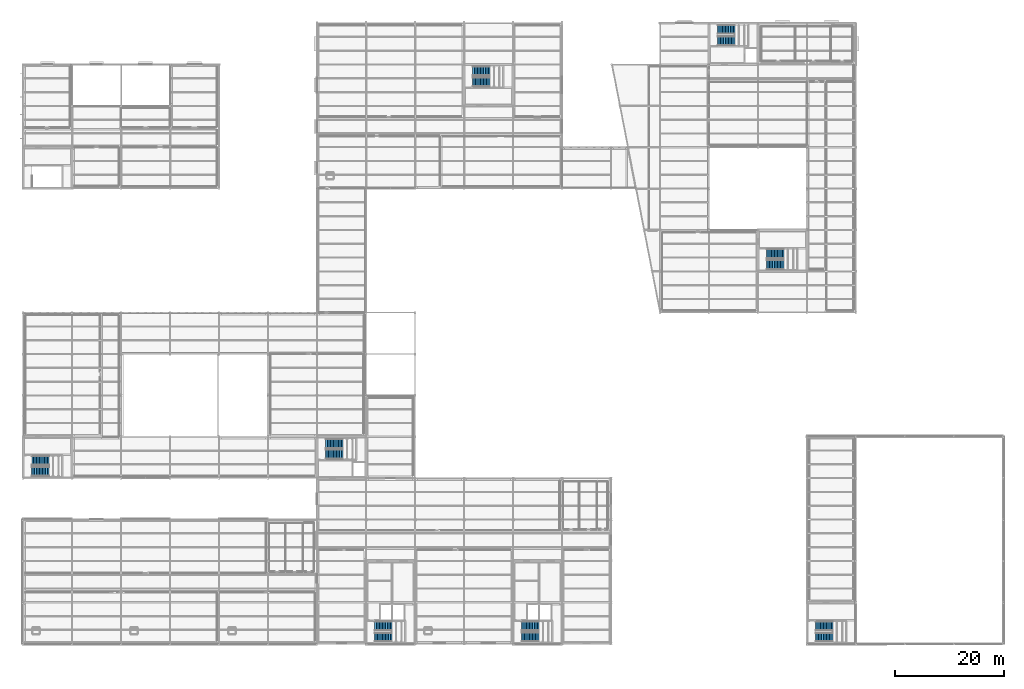
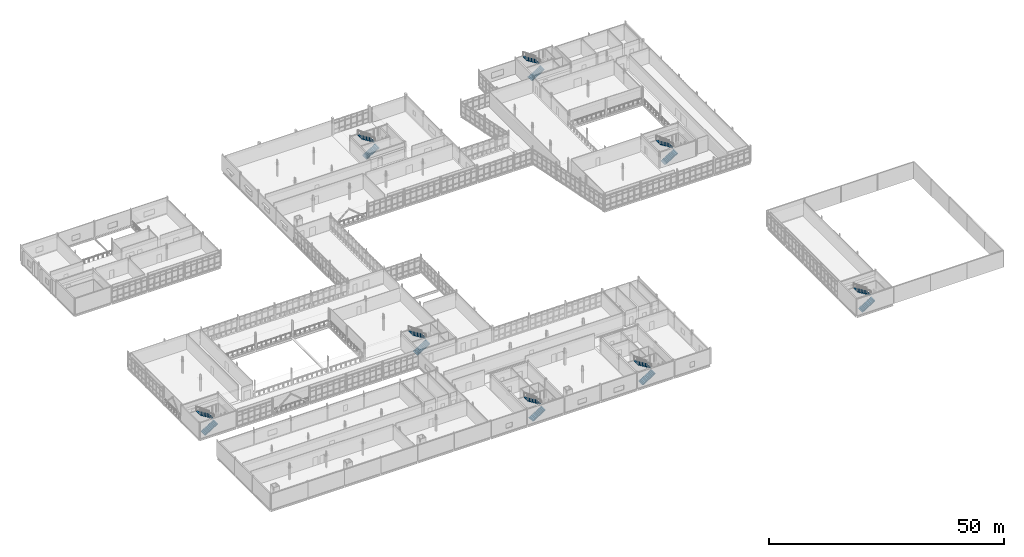
# One storey, part 164 of 174: 16 stair flights, 8 elements without a shape of their own.
"""IFC4 building model written with IfcOpenShell, lengths in metres."""

from ifc_helpers import new_model, si_unit, direction, frame, origin, place, context, subcontext, project, spatial, polyline, outline, extrude, material, type_object, element, aggregate, save


model = new_model("IFC4")

# Units and contexts
model_context = context("Model", 3, precision=1e-05, world=origin(), true_north=direction((0.0, 1.0)))
body_context = subcontext(model_context, "Body", "Model", "MODEL_VIEW")
ifc_project = project(units=[si_unit("LENGTHUNIT", "METRE"), si_unit("AREAUNIT", "SQUARE_METRE"), si_unit("VOLUMEUNIT", "CUBIC_METRE"), si_unit("PLANEANGLEUNIT", "RADIAN"), si_unit("MASSUNIT", "GRAM", prefix="KILO")], contexts=[model_context])

# Site, building, storey
site_placement = place(None, origin())
site = spatial("IfcSite", under=ifc_project, at=site_placement, CompositionType="ELEMENT")
building_placement = place(site_placement, origin())
building = spatial("IfcBuilding", under=site, at=building_placement, Name="Caisbarro Railhouse Central Library", CompositionType="ELEMENT")
storey_placement = place(building_placement, frame((0.0, 0.0, 5.0400390625)))
storey = spatial("IfcBuildingStorey", under=building, at=storey_placement, Name="L01", CompositionType="ELEMENT", Elevation=5.0400390625)

# Stair, stair flights
ifc_material = material(Name="Concrete C35", Category="concrete")
stair_type_1 = type_object("IfcStairType", Name="STR-ST43A", PredefinedType="HALF_TURN_STAIR", material=ifc_material)
stair_1_placement = place(storey_placement, origin())
stair_1 = element("IfcStair", 1, at=stair_1_placement, inside=storey, type_object=stair_type_1, Name="Protected Stair ST-01 (L01)", PredefinedType="HALF_TURN_STAIR")
stair_flight_type_1 = type_object("IfcStairFlightType", Name="STF-ST43A", PredefinedType="STRAIGHT", material=ifc_material)
stair_flight_1_placement = place(storey_placement, frame((64.550048828125, 1.169921875, 0.0), z_axis=(0.0, 0.0, 1.0), x_axis=(1.0, 0.0, 0.0)))
stair_flight_1 = element("IfcStairFlight", 2, at=stair_flight_1_placement, type_object=stair_flight_type_1, Name="ST-01 flight 1", NumberOfRisers=12, NumberOfTreads=11, PredefinedType="STRAIGHT", RiserHeight=0.18, TreadLength=0.29, context=body_context, shape_type="SweptSolid", body=[
    extrude(outline(polyline([(0.0, 0.0), (0.0, 0.179931640625), (0.2900390625, 0.179931640625), (0.2900390625, 0.360107421875), (0.580078125, 0.360107421875), (0.580078125, 0.5400390625), (0.8701171875, 0.5400390625), (0.8701171875, 0.719970703125), (1.159912109375, 0.719970703125), (1.159912109375, 0.89990234375), (1.449951171875, 0.89990234375), (1.449951171875, 1.080078125), (1.739990234375, 1.080078125), (1.739990234375, 1.260009765625), (2.030029296875, 1.260009765625), (2.030029296875, 1.43994140625), (2.320068359375, 1.43994140625), (2.320068359375, 1.6201171875), (2.610107421875, 1.6201171875), (2.610107421875, 1.800048828125), (2.89990234375, 1.800048828125), (2.89990234375, 1.97998046875), (3.18994140625, 1.97998046875), (3.18994140625, 2.159912109375), (3.18994140625, 1.791748046875), (0.30322265625, 0.0), (0.0, 0.0)])), frame((0.0, 0.830078125, 0.0), z_axis=(0.0, -1.0, 0.0), x_axis=(1.0, 0.0, 0.0)), (0.0, 0.0, 1.0), 1.659912109375),
])
stair_flight_2_placement = place(storey_placement, frame((67.780029296875, 3.280029296875, 2.159912109375), z_axis=(0.0, 0.0, 1.0), x_axis=(-1.0, 0.0, 0.0)))
stair_flight_2 = element("IfcStairFlight", 3, at=stair_flight_2_placement, type_object=stair_flight_type_1, Name="ST-01 flight 2", NumberOfRisers=12, NumberOfTreads=11, PredefinedType="STRAIGHT", RiserHeight=0.18, TreadLength=0.29, context=body_context, shape_type="SweptSolid", body=[
    extrude(outline(polyline([(0.0, 0.0), (0.0, 0.179931640625), (0.2900390625, 0.179931640625), (0.2900390625, 0.360107421875), (0.580078125, 0.360107421875), (0.580078125, 0.5400390625), (0.8701171875, 0.5400390625), (0.8701171875, 0.719970703125), (1.159912109375, 0.719970703125), (1.159912109375, 0.89990234375), (1.449951171875, 0.89990234375), (1.449951171875, 1.080078125), (1.739990234375, 1.080078125), (1.739990234375, 1.260009765625), (2.030029296875, 1.260009765625), (2.030029296875, 1.43994140625), (2.320068359375, 1.43994140625), (2.320068359375, 1.6201171875), (2.610107421875, 1.6201171875), (2.610107421875, 1.800048828125), (2.89990234375, 1.800048828125), (2.89990234375, 1.97998046875), (3.18994140625, 1.97998046875), (3.18994140625, 2.159912109375), (3.18994140625, 1.791748046875), (0.30322265625, 0.0), (0.0, 0.0)])), frame((0.0, 0.830078125, 0.0), z_axis=(0.0, -1.0, 0.0), x_axis=(1.0, 0.0, 0.0)), (0.0, 0.0, 1.0), 1.659912109375),
])
aggregate(stair_1, [stair_flight_1, stair_flight_2])

stair_2_placement = place(storey_placement, origin())
stair_2 = element("IfcStair", 4, at=stair_2_placement, inside=storey, type_object=stair_type_1, Name="Protected Stair ST-03 (L01)", PredefinedType="HALF_TURN_STAIR")
stair_flight_3_placement = place(storey_placement, frame((127.550048828125, 110.719970703125, 0.0), z_axis=(0.0, 0.0, 1.0), x_axis=(1.0, 0.0, 0.0)))
stair_flight_3 = element("IfcStairFlight", 5, at=stair_flight_3_placement, type_object=stair_flight_type_1, Name="ST-03 flight 1", NumberOfRisers=12, NumberOfTreads=11, PredefinedType="STRAIGHT", RiserHeight=0.18, TreadLength=0.29, context=body_context, shape_type="SweptSolid", body=[
    extrude(outline(polyline([(0.0, 0.0), (0.0, 0.179931640625), (0.2900390625, 0.179931640625), (0.2900390625, 0.360107421875), (0.580078125, 0.360107421875), (0.580078125, 0.5400390625), (0.8701171875, 0.5400390625), (0.8701171875, 0.719970703125), (1.159912109375, 0.719970703125), (1.159912109375, 0.89990234375), (1.449951171875, 0.89990234375), (1.449951171875, 1.080078125), (1.739990234375, 1.080078125), (1.739990234375, 1.260009765625), (2.030029296875, 1.260009765625), (2.030029296875, 1.43994140625), (2.320068359375, 1.43994140625), (2.320068359375, 1.6201171875), (2.610107421875, 1.6201171875), (2.610107421875, 1.800048828125), (2.89990234375, 1.800048828125), (2.89990234375, 1.97998046875), (3.18994140625, 1.97998046875), (3.18994140625, 2.159912109375), (3.18994140625, 1.791748046875), (0.30322265625, 0.0), (0.0, 0.0)])), frame((0.0, 0.830078125, 0.0), z_axis=(0.0, -1.0, 0.0), x_axis=(1.0, 0.0, 0.0)), (0.0, 0.0, 1.0), 1.659912109375),
])
stair_flight_4_placement = place(storey_placement, frame((130.780029296875, 112.830078125, 2.159912109375), z_axis=(0.0, 0.0, 1.0), x_axis=(-1.0, 0.0, 0.0)))
stair_flight_4 = element("IfcStairFlight", 6, at=stair_flight_4_placement, type_object=stair_flight_type_1, Name="ST-03 flight 2", NumberOfRisers=12, NumberOfTreads=11, PredefinedType="STRAIGHT", RiserHeight=0.18, TreadLength=0.29, context=body_context, shape_type="SweptSolid", body=[
    extrude(outline(polyline([(0.0, 0.0), (0.0, 0.179931640625), (0.2900390625, 0.179931640625), (0.2900390625, 0.360107421875), (0.580078125, 0.360107421875), (0.580078125, 0.5400390625), (0.8701171875, 0.5400390625), (0.8701171875, 0.719970703125), (1.159912109375, 0.719970703125), (1.159912109375, 0.89990234375), (1.449951171875, 0.89990234375), (1.449951171875, 1.080078125), (1.739990234375, 1.080078125), (1.739990234375, 1.260009765625), (2.030029296875, 1.260009765625), (2.030029296875, 1.43994140625), (2.320068359375, 1.43994140625), (2.320068359375, 1.6201171875), (2.610107421875, 1.6201171875), (2.610107421875, 1.800048828125), (2.89990234375, 1.800048828125), (2.89990234375, 1.97998046875), (3.18994140625, 1.97998046875), (3.18994140625, 2.159912109375), (3.18994140625, 1.791748046875), (0.30322265625, 0.0), (0.0, 0.0)])), frame((0.0, 0.830078125, 0.0), z_axis=(0.0, -1.0, 0.0), x_axis=(1.0, 0.0, 0.0)), (0.0, 0.0, 1.0), 1.659912109375),
])
aggregate(stair_2, [stair_flight_3, stair_flight_4])

stair_3_placement = place(storey_placement, origin())
stair_3 = element("IfcStair", 7, at=stair_3_placement, inside=storey, type_object=stair_type_1, Name="Protected Stair ST-09 (L01)", PredefinedType="HALF_TURN_STAIR")
stair_flight_5_placement = place(storey_placement, frame((145.550048828125, 1.169921875, 0.0), z_axis=(0.0, 0.0, 1.0), x_axis=(1.0, 0.0, 0.0)))
stair_flight_5 = element("IfcStairFlight", 8, at=stair_flight_5_placement, type_object=stair_flight_type_1, Name="ST-09 flight 1", NumberOfRisers=12, NumberOfTreads=11, PredefinedType="STRAIGHT", RiserHeight=0.18, TreadLength=0.29, context=body_context, shape_type="SweptSolid", body=[
    extrude(outline(polyline([(0.0, 0.0), (0.0, 0.179931640625), (0.2900390625, 0.179931640625), (0.2900390625, 0.360107421875), (0.580078125, 0.360107421875), (0.580078125, 0.5400390625), (0.8701171875, 0.5400390625), (0.8701171875, 0.719970703125), (1.159912109375, 0.719970703125), (1.159912109375, 0.89990234375), (1.449951171875, 0.89990234375), (1.449951171875, 1.080078125), (1.739990234375, 1.080078125), (1.739990234375, 1.260009765625), (2.030029296875, 1.260009765625), (2.030029296875, 1.43994140625), (2.320068359375, 1.43994140625), (2.320068359375, 1.6201171875), (2.610107421875, 1.6201171875), (2.610107421875, 1.800048828125), (2.89990234375, 1.800048828125), (2.89990234375, 1.97998046875), (3.18994140625, 1.97998046875), (3.18994140625, 2.159912109375), (3.18994140625, 1.791748046875), (0.30322265625, 0.0), (0.0, 0.0)])), frame((0.0, 0.830078125, 0.0), z_axis=(0.0, -1.0, 0.0), x_axis=(1.0, 0.0, 0.0)), (0.0, 0.0, 1.0), 1.659912109375),
])
stair_flight_6_placement = place(storey_placement, frame((148.780029296875, 3.280029296875, 2.159912109375), z_axis=(0.0, 0.0, 1.0), x_axis=(-1.0, 0.0, 0.0)))
stair_flight_6 = element("IfcStairFlight", 9, at=stair_flight_6_placement, type_object=stair_flight_type_1, Name="ST-09 flight 2", NumberOfRisers=12, NumberOfTreads=11, PredefinedType="STRAIGHT", RiserHeight=0.18, TreadLength=0.29, context=body_context, shape_type="SweptSolid", body=[
    extrude(outline(polyline([(0.0, 0.0), (0.0, 0.179931640625), (0.2900390625, 0.179931640625), (0.2900390625, 0.360107421875), (0.580078125, 0.360107421875), (0.580078125, 0.5400390625), (0.8701171875, 0.5400390625), (0.8701171875, 0.719970703125), (1.159912109375, 0.719970703125), (1.159912109375, 0.89990234375), (1.449951171875, 0.89990234375), (1.449951171875, 1.080078125), (1.739990234375, 1.080078125), (1.739990234375, 1.260009765625), (2.030029296875, 1.260009765625), (2.030029296875, 1.43994140625), (2.320068359375, 1.43994140625), (2.320068359375, 1.6201171875), (2.610107421875, 1.6201171875), (2.610107421875, 1.800048828125), (2.89990234375, 1.800048828125), (2.89990234375, 1.97998046875), (3.18994140625, 1.97998046875), (3.18994140625, 2.159912109375), (3.18994140625, 1.791748046875), (0.30322265625, 0.0), (0.0, 0.0)])), frame((0.0, 0.830078125, 0.0), z_axis=(0.0, -1.0, 0.0), x_axis=(1.0, 0.0, 0.0)), (0.0, 0.0, 1.0), 1.659912109375),
])
aggregate(stair_3, [stair_flight_5, stair_flight_6])

stair_type_2 = type_object("IfcStairType", Name="STR-ST43B", PredefinedType="HALF_TURN_STAIR", material=ifc_material)
stair_4_placement = place(storey_placement, origin())
stair_4 = element("IfcStair", 10, at=stair_4_placement, inside=storey, type_object=stair_type_2, Name="Protected Stair ST-02 (L01)", PredefinedType="HALF_TURN_STAIR")
stair_flight_type_2 = type_object("IfcStairFlightType", Name="STF-ST43B", PredefinedType="STRAIGHT", material=ifc_material)
stair_flight_7_placement = place(storey_placement, frame((91.550048828125, 1.199951171875, 0.0), z_axis=(0.0, 0.0, 1.0), x_axis=(1.0, 0.0, 0.0)))
stair_flight_7 = element("IfcStairFlight", 11, at=stair_flight_7_placement, type_object=stair_flight_type_2, Name="ST-02 flight 1", NumberOfRisers=12, NumberOfTreads=11, PredefinedType="STRAIGHT", RiserHeight=0.18, TreadLength=0.29, context=body_context, shape_type="SweptSolid", body=[
    extrude(outline(polyline([(0.0, 0.0), (0.0, 0.179931640625), (0.2900390625, 0.179931640625), (0.2900390625, 0.360107421875), (0.580078125, 0.360107421875), (0.580078125, 0.5400390625), (0.8701171875, 0.5400390625), (0.8701171875, 0.719970703125), (1.159912109375, 0.719970703125), (1.159912109375, 0.89990234375), (1.449951171875, 0.89990234375), (1.449951171875, 1.080078125), (1.739990234375, 1.080078125), (1.739990234375, 1.260009765625), (2.030029296875, 1.260009765625), (2.030029296875, 1.43994140625), (2.320068359375, 1.43994140625), (2.320068359375, 1.6201171875), (2.610107421875, 1.6201171875), (2.610107421875, 1.800048828125), (2.89990234375, 1.800048828125), (2.89990234375, 1.97998046875), (3.18994140625, 1.97998046875), (3.18994140625, 2.159912109375), (3.18994140625, 1.791748046875), (0.30322265625, 0.0), (0.0, 0.0)])), frame((0.0, 0.85986328125, 0.0), z_axis=(0.0, -1.0, 0.0), x_axis=(1.0, 0.0, 0.0)), (0.0, 0.0, 1.0), 1.719970703125),
])
stair_flight_8_placement = place(storey_placement, frame((94.780029296875, 3.25, 2.159912109375), z_axis=(0.0, 0.0, 1.0), x_axis=(-1.0, 0.0, 0.0)))
stair_flight_8 = element("IfcStairFlight", 12, at=stair_flight_8_placement, type_object=stair_flight_type_2, Name="ST-02 flight 2", NumberOfRisers=12, NumberOfTreads=11, PredefinedType="STRAIGHT", RiserHeight=0.18, TreadLength=0.29, context=body_context, shape_type="SweptSolid", body=[
    extrude(outline(polyline([(0.0, 0.0), (0.0, 0.179931640625), (0.2900390625, 0.179931640625), (0.2900390625, 0.360107421875), (0.580078125, 0.360107421875), (0.580078125, 0.5400390625), (0.8701171875, 0.5400390625), (0.8701171875, 0.719970703125), (1.159912109375, 0.719970703125), (1.159912109375, 0.89990234375), (1.449951171875, 0.89990234375), (1.449951171875, 1.080078125), (1.739990234375, 1.080078125), (1.739990234375, 1.260009765625), (2.030029296875, 1.260009765625), (2.030029296875, 1.43994140625), (2.320068359375, 1.43994140625), (2.320068359375, 1.6201171875), (2.610107421875, 1.6201171875), (2.610107421875, 1.800048828125), (2.89990234375, 1.800048828125), (2.89990234375, 1.97998046875), (3.18994140625, 1.97998046875), (3.18994140625, 2.159912109375), (3.18994140625, 1.791748046875), (0.30322265625, 0.0), (0.0, 0.0)])), frame((0.0, 0.85986328125, 0.0), z_axis=(0.0, -1.0, 0.0), x_axis=(1.0, 0.0, 0.0)), (0.0, 0.0, 1.0), 1.719970703125),
])
aggregate(stair_4, [stair_flight_7, stair_flight_8])

stair_5_placement = place(storey_placement, origin())
stair_5 = element("IfcStair", 13, at=stair_5_placement, inside=storey, type_object=stair_type_2, Name="Protected Stair ST-05 (L01)", PredefinedType="HALF_TURN_STAIR")
stair_flight_9_placement = place(storey_placement, frame((82.550048828125, 103.14990234375, 0.0), z_axis=(0.0, 0.0, 1.0), x_axis=(1.0, 0.0, 0.0)))
stair_flight_9 = element("IfcStairFlight", 14, at=stair_flight_9_placement, type_object=stair_flight_type_2, Name="ST-05 flight 1", NumberOfRisers=12, NumberOfTreads=11, PredefinedType="STRAIGHT", RiserHeight=0.18, TreadLength=0.29, context=body_context, shape_type="SweptSolid", body=[
    extrude(outline(polyline([(0.0, 0.0), (0.0, 0.179931640625), (0.2900390625, 0.179931640625), (0.2900390625, 0.360107421875), (0.580078125, 0.360107421875), (0.580078125, 0.5400390625), (0.8701171875, 0.5400390625), (0.8701171875, 0.719970703125), (1.159912109375, 0.719970703125), (1.159912109375, 0.89990234375), (1.449951171875, 0.89990234375), (1.449951171875, 1.080078125), (1.739990234375, 1.080078125), (1.739990234375, 1.260009765625), (2.030029296875, 1.260009765625), (2.030029296875, 1.43994140625), (2.320068359375, 1.43994140625), (2.320068359375, 1.6201171875), (2.610107421875, 1.6201171875), (2.610107421875, 1.800048828125), (2.89990234375, 1.800048828125), (2.89990234375, 1.97998046875), (3.18994140625, 1.97998046875), (3.18994140625, 2.159912109375), (3.18994140625, 1.791748046875), (0.30322265625, 0.0), (0.0, 0.0)])), frame((0.0, 0.85986328125, 0.0), z_axis=(0.0, -1.0, 0.0), x_axis=(1.0, 0.0, 0.0)), (0.0, 0.0, 1.0), 1.719970703125),
])
stair_flight_10_placement = place(storey_placement, frame((85.780029296875, 105.199951171875, 2.159912109375), z_axis=(0.0, 0.0, 1.0), x_axis=(-1.0, 0.0, 0.0)))
stair_flight_10 = element("IfcStairFlight", 15, at=stair_flight_10_placement, type_object=stair_flight_type_2, Name="ST-05 flight 2", NumberOfRisers=12, NumberOfTreads=11, PredefinedType="STRAIGHT", RiserHeight=0.18, TreadLength=0.29, context=body_context, shape_type="SweptSolid", body=[
    extrude(outline(polyline([(0.0, 0.0), (0.0, 0.179931640625), (0.2900390625, 0.179931640625), (0.2900390625, 0.360107421875), (0.580078125, 0.360107421875), (0.580078125, 0.5400390625), (0.8701171875, 0.5400390625), (0.8701171875, 0.719970703125), (1.159912109375, 0.719970703125), (1.159912109375, 0.89990234375), (1.449951171875, 0.89990234375), (1.449951171875, 1.080078125), (1.739990234375, 1.080078125), (1.739990234375, 1.260009765625), (2.030029296875, 1.260009765625), (2.030029296875, 1.43994140625), (2.320068359375, 1.43994140625), (2.320068359375, 1.6201171875), (2.610107421875, 1.6201171875), (2.610107421875, 1.800048828125), (2.89990234375, 1.800048828125), (2.89990234375, 1.97998046875), (3.18994140625, 1.97998046875), (3.18994140625, 2.159912109375), (3.18994140625, 1.791748046875), (0.30322265625, 0.0), (0.0, 0.0)])), frame((0.0, 0.85986328125, 0.0), z_axis=(0.0, -1.0, 0.0), x_axis=(1.0, 0.0, 0.0)), (0.0, 0.0, 1.0), 1.719970703125),
])
aggregate(stair_5, [stair_flight_9, stair_flight_10])

stair_6_placement = place(storey_placement, origin())
stair_6 = element("IfcStair", 16, at=stair_6_placement, inside=storey, type_object=stair_type_2, Name="Protected Stair ST-06 (L01)", PredefinedType="HALF_TURN_STAIR")
stair_flight_11_placement = place(storey_placement, frame((1.550048828125, 31.60009765625, 0.0), z_axis=(0.0, 0.0, 1.0), x_axis=(1.0, 0.0, 0.0)))
stair_flight_11 = element("IfcStairFlight", 17, at=stair_flight_11_placement, type_object=stair_flight_type_2, Name="ST-06 flight 1", NumberOfRisers=12, NumberOfTreads=11, PredefinedType="STRAIGHT", RiserHeight=0.18, TreadLength=0.29, context=body_context, shape_type="SweptSolid", body=[
    extrude(outline(polyline([(0.0, 0.0), (0.0, 0.179931640625), (0.2900390625, 0.179931640625), (0.2900390625, 0.360107421875), (0.580078125, 0.360107421875), (0.580078125, 0.5400390625), (0.8701171875, 0.5400390625), (0.8701171875, 0.719970703125), (1.159912109375, 0.719970703125), (1.159912109375, 0.89990234375), (1.449951171875, 0.89990234375), (1.449951171875, 1.080078125), (1.739990234375, 1.080078125), (1.739990234375, 1.260009765625), (2.030029296875, 1.260009765625), (2.030029296875, 1.43994140625), (2.320068359375, 1.43994140625), (2.320068359375, 1.6201171875), (2.610107421875, 1.6201171875), (2.610107421875, 1.800048828125), (2.89990234375, 1.800048828125), (2.89990234375, 1.97998046875), (3.18994140625, 1.97998046875), (3.18994140625, 2.159912109375), (3.18994140625, 1.791748046875), (0.30322265625, 0.0), (0.0, 0.0)])), frame((0.0, 0.85986328125, 0.0), z_axis=(0.0, -1.0, 0.0), x_axis=(1.0, 0.0, 0.0)), (0.0, 0.0, 1.0), 1.719970703125),
])
stair_flight_12_placement = place(storey_placement, frame((4.780029296875, 33.64990234375, 2.159912109375), z_axis=(0.0, 0.0, 1.0), x_axis=(-1.0, 0.0, 0.0)))
stair_flight_12 = element("IfcStairFlight", 18, at=stair_flight_12_placement, type_object=stair_flight_type_2, Name="ST-06 flight 2", NumberOfRisers=12, NumberOfTreads=11, PredefinedType="STRAIGHT", RiserHeight=0.18, TreadLength=0.29, context=body_context, shape_type="SweptSolid", body=[
    extrude(outline(polyline([(0.0, 0.0), (0.0, 0.179931640625), (0.2900390625, 0.179931640625), (0.2900390625, 0.360107421875), (0.580078125, 0.360107421875), (0.580078125, 0.5400390625), (0.8701171875, 0.5400390625), (0.8701171875, 0.719970703125), (1.159912109375, 0.719970703125), (1.159912109375, 0.89990234375), (1.449951171875, 0.89990234375), (1.449951171875, 1.080078125), (1.739990234375, 1.080078125), (1.739990234375, 1.260009765625), (2.030029296875, 1.260009765625), (2.030029296875, 1.43994140625), (2.320068359375, 1.43994140625), (2.320068359375, 1.6201171875), (2.610107421875, 1.6201171875), (2.610107421875, 1.800048828125), (2.89990234375, 1.800048828125), (2.89990234375, 1.97998046875), (3.18994140625, 1.97998046875), (3.18994140625, 2.159912109375), (3.18994140625, 1.791748046875), (0.30322265625, 0.0), (0.0, 0.0)])), frame((0.0, 0.85986328125, 0.0), z_axis=(0.0, -1.0, 0.0), x_axis=(1.0, 0.0, 0.0)), (0.0, 0.0, 1.0), 1.719970703125),
])
aggregate(stair_6, [stair_flight_11, stair_flight_12])

stair_7_placement = place(storey_placement, origin())
stair_7 = element("IfcStair", 19, at=stair_7_placement, inside=storey, type_object=stair_type_2, Name="Protected Stair ST-07 (L01)", PredefinedType="HALF_TURN_STAIR")
stair_flight_13_placement = place(storey_placement, frame((136.550048828125, 69.60009765625, 0.0), z_axis=(0.0, 0.0, 1.0), x_axis=(1.0, 0.0, 0.0)))
stair_flight_13 = element("IfcStairFlight", 20, at=stair_flight_13_placement, type_object=stair_flight_type_2, Name="ST-07 flight 1", NumberOfRisers=12, NumberOfTreads=11, PredefinedType="STRAIGHT", RiserHeight=0.18, TreadLength=0.29, context=body_context, shape_type="SweptSolid", body=[
    extrude(outline(polyline([(0.0, 0.0), (0.0, 0.179931640625), (0.2900390625, 0.179931640625), (0.2900390625, 0.360107421875), (0.580078125, 0.360107421875), (0.580078125, 0.5400390625), (0.8701171875, 0.5400390625), (0.8701171875, 0.719970703125), (1.159912109375, 0.719970703125), (1.159912109375, 0.89990234375), (1.449951171875, 0.89990234375), (1.449951171875, 1.080078125), (1.739990234375, 1.080078125), (1.739990234375, 1.260009765625), (2.030029296875, 1.260009765625), (2.030029296875, 1.43994140625), (2.320068359375, 1.43994140625), (2.320068359375, 1.6201171875), (2.610107421875, 1.6201171875), (2.610107421875, 1.800048828125), (2.89990234375, 1.800048828125), (2.89990234375, 1.97998046875), (3.18994140625, 1.97998046875), (3.18994140625, 2.159912109375), (3.18994140625, 1.791748046875), (0.30322265625, 0.0), (0.0, 0.0)])), frame((0.0, 0.85986328125, 0.0), z_axis=(0.0, -1.0, 0.0), x_axis=(1.0, 0.0, 0.0)), (0.0, 0.0, 1.0), 1.719970703125),
])
stair_flight_14_placement = place(storey_placement, frame((139.780029296875, 71.64990234375, 2.159912109375), z_axis=(0.0, 0.0, 1.0), x_axis=(-1.0, 0.0, 0.0)))
stair_flight_14 = element("IfcStairFlight", 21, at=stair_flight_14_placement, type_object=stair_flight_type_2, Name="ST-07 flight 2", NumberOfRisers=12, NumberOfTreads=11, PredefinedType="STRAIGHT", RiserHeight=0.18, TreadLength=0.29, context=body_context, shape_type="SweptSolid", body=[
    extrude(outline(polyline([(0.0, 0.0), (0.0, 0.179931640625), (0.2900390625, 0.179931640625), (0.2900390625, 0.360107421875), (0.580078125, 0.360107421875), (0.580078125, 0.5400390625), (0.8701171875, 0.5400390625), (0.8701171875, 0.719970703125), (1.159912109375, 0.719970703125), (1.159912109375, 0.89990234375), (1.449951171875, 0.89990234375), (1.449951171875, 1.080078125), (1.739990234375, 1.080078125), (1.739990234375, 1.260009765625), (2.030029296875, 1.260009765625), (2.030029296875, 1.43994140625), (2.320068359375, 1.43994140625), (2.320068359375, 1.6201171875), (2.610107421875, 1.6201171875), (2.610107421875, 1.800048828125), (2.89990234375, 1.800048828125), (2.89990234375, 1.97998046875), (3.18994140625, 1.97998046875), (3.18994140625, 2.159912109375), (3.18994140625, 1.791748046875), (0.30322265625, 0.0), (0.0, 0.0)])), frame((0.0, 0.85986328125, 0.0), z_axis=(0.0, -1.0, 0.0), x_axis=(1.0, 0.0, 0.0)), (0.0, 0.0, 1.0), 1.719970703125),
])
aggregate(stair_7, [stair_flight_13, stair_flight_14])

stair_type_3 = type_object("IfcStairType", Name="STR-ST43C", PredefinedType="HALF_TURN_STAIR", material=ifc_material)
stair_8_placement = place(storey_placement, origin())
stair_8 = element("IfcStair", 22, at=stair_8_placement, inside=storey, type_object=stair_type_3, Name="Protected Stair ST-04 (L01)", PredefinedType="HALF_TURN_STAIR")
stair_flight_type_3 = type_object("IfcStairFlightType", Name="STF-ST43C", PredefinedType="STRAIGHT", material=ifc_material)
stair_flight_15_placement = place(storey_placement, frame((55.550048828125, 34.780029296875, 0.0), z_axis=(0.0, 0.0, 1.0), x_axis=(1.0, 0.0, 0.0)))
stair_flight_15 = element("IfcStairFlight", 23, at=stair_flight_15_placement, type_object=stair_flight_type_3, Name="ST-04 flight 1", NumberOfRisers=12, NumberOfTreads=11, PredefinedType="STRAIGHT", RiserHeight=0.18, TreadLength=0.29, context=body_context, shape_type="SweptSolid", body=[
    extrude(outline(polyline([(0.0, 0.0), (0.0, 0.179931640625), (0.2900390625, 0.179931640625), (0.2900390625, 0.360107421875), (0.580078125, 0.360107421875), (0.580078125, 0.5400390625), (0.8701171875, 0.5400390625), (0.8701171875, 0.719970703125), (1.159912109375, 0.719970703125), (1.159912109375, 0.89990234375), (1.449951171875, 0.89990234375), (1.449951171875, 1.080078125), (1.739990234375, 1.080078125), (1.739990234375, 1.260009765625), (2.030029296875, 1.260009765625), (2.030029296875, 1.43994140625), (2.320068359375, 1.43994140625), (2.320068359375, 1.6201171875), (2.610107421875, 1.6201171875), (2.610107421875, 1.800048828125), (2.89990234375, 1.800048828125), (2.89990234375, 1.97998046875), (3.18994140625, 1.97998046875), (3.18994140625, 2.159912109375), (3.18994140625, 1.791748046875), (0.30322265625, 0.0), (0.0, 0.0)])), frame((0.0, 0.89013671875, 0.0), z_axis=(0.0, -1.0, 0.0), x_axis=(1.0, 0.0, 0.0)), (0.0, 0.0, 1.0), 1.780029296875),
])
stair_flight_16_placement = place(storey_placement, frame((58.780029296875, 36.77001953125, 2.159912109375), z_axis=(0.0, 0.0, 1.0), x_axis=(-1.0, 0.0, 0.0)))
stair_flight_16 = element("IfcStairFlight", 24, at=stair_flight_16_placement, type_object=stair_flight_type_3, Name="ST-04 flight 2", NumberOfRisers=12, NumberOfTreads=11, PredefinedType="STRAIGHT", RiserHeight=0.18, TreadLength=0.29, context=body_context, shape_type="SweptSolid", body=[
    extrude(outline(polyline([(0.0, 0.0), (0.0, 0.179931640625), (0.2900390625, 0.179931640625), (0.2900390625, 0.360107421875), (0.580078125, 0.360107421875), (0.580078125, 0.5400390625), (0.8701171875, 0.5400390625), (0.8701171875, 0.719970703125), (1.159912109375, 0.719970703125), (1.159912109375, 0.89990234375), (1.449951171875, 0.89990234375), (1.449951171875, 1.080078125), (1.739990234375, 1.080078125), (1.739990234375, 1.260009765625), (2.030029296875, 1.260009765625), (2.030029296875, 1.43994140625), (2.320068359375, 1.43994140625), (2.320068359375, 1.6201171875), (2.610107421875, 1.6201171875), (2.610107421875, 1.800048828125), (2.89990234375, 1.800048828125), (2.89990234375, 1.97998046875), (3.18994140625, 1.97998046875), (3.18994140625, 2.159912109375), (3.18994140625, 1.791748046875), (0.30322265625, 0.0), (0.0, 0.0)])), frame((0.0, 0.89013671875, 0.0), z_axis=(0.0, -1.0, 0.0), x_axis=(1.0, 0.0, 0.0)), (0.0, 0.0, 1.0), 1.780029296875),
])
aggregate(stair_8, [stair_flight_15, stair_flight_16])

save(model, "model.ifc")
